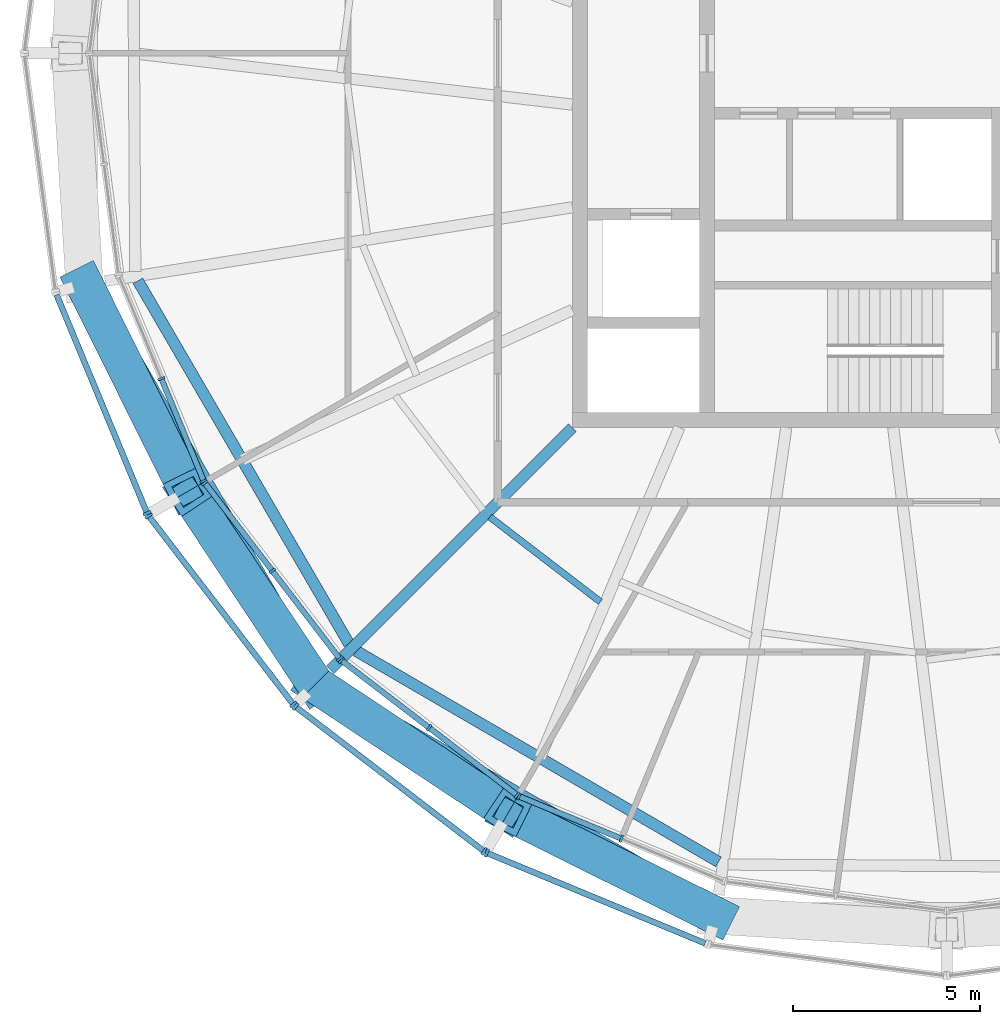
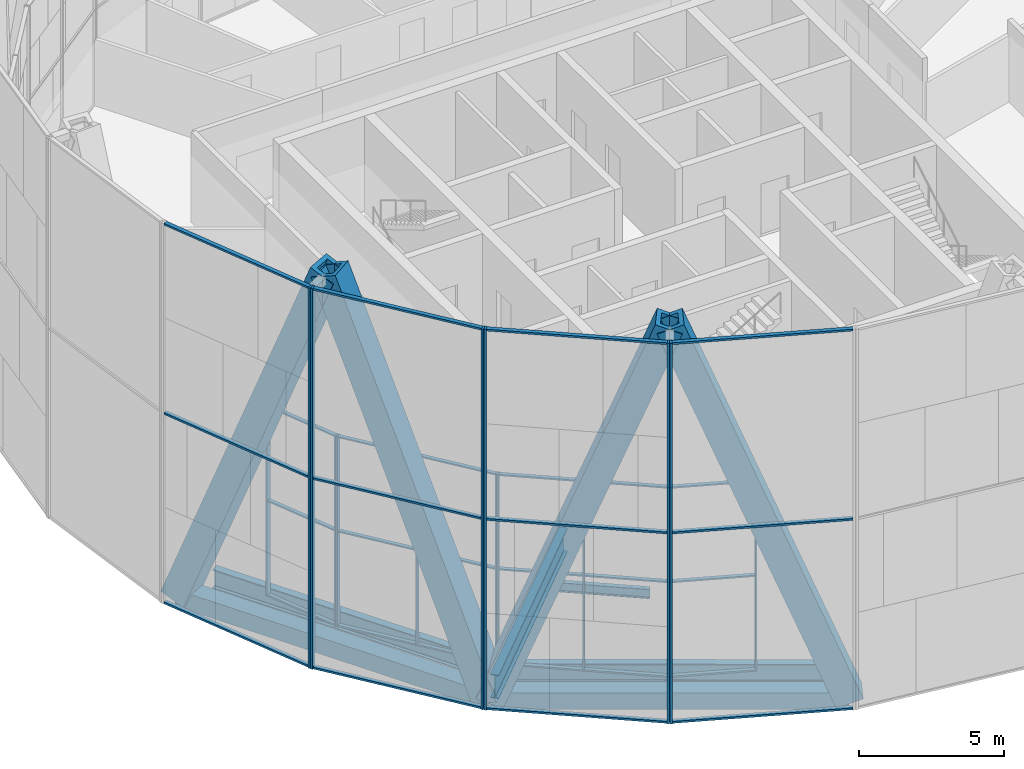
# One storey, part 1 of 23: 50 members, 6 beams, 8 elements without a shape of their own.
"""IFC4 building model written with IfcOpenShell, lengths in metres."""

from ifc_helpers import new_model, si_unit, direction, frame, origin, origin_2d, place, context, subcontext, project, spatial, rectangle, hollow_rectangle, i_section, extrude, material, material_profile, profile_set, type_object, element, aggregate, save


model = new_model("IFC4")

# Units and contexts
model_context = context("Model", 3, precision=1e-05, world=origin(), true_north=direction((0.0, 1.0)))
body_context = subcontext(model_context, "Body", "Model", "MODEL_VIEW")
ifc_project = project(units=[si_unit("LENGTHUNIT", "METRE"), si_unit("AREAUNIT", "SQUARE_METRE"), si_unit("VOLUMEUNIT", "CUBIC_METRE"), si_unit("PLANEANGLEUNIT", "RADIAN"), si_unit("MASSUNIT", "GRAM", prefix="KILO")], contexts=[model_context])

# Site, building, storey
site_placement = place(None, origin())
site = spatial("IfcSite", under=ifc_project, at=site_placement, CompositionType="ELEMENT")
building_placement = place(site_placement, origin())
building = spatial("IfcBuilding", under=site, at=building_placement, Name="Golbaran Civic Tower", CompositionType="ELEMENT")
storey_placement = place(building_placement, frame((0.0, 0.0, 232.0)))
storey = spatial("IfcBuildingStorey", under=building, at=storey_placement, Name="L56", CompositionType="ELEMENT", Elevation=232.0)

# Members
ifc_material_1 = material(Name="Steel S355", Category="steel")
ifc_material_profile_1 = material_profile(ifc_material_1, hollow_rectangle(XDim=1.0, YDim=1.0, WallThickness=0.179931640625, at=origin_2d()), Name="BOX 1000x1000x180")
ifc_profile_set_1 = profile_set([ifc_material_profile_1], Name="Steel S355")
member_type_1 = type_object("IfcMemberType", Name="DIAGRID DIAGONAL BOX 1000x1000x180", PredefinedType="BRACE", material=ifc_profile_set_1)
for number, where, z_axis, x_axis, name in (
    (1, (-23.042236328125, -6.174072265625, -0.7099609375), (0.160737955962, -0.322799502318, 0.932718494947), (0.895160079621, 0.445744805751, 0.0), "Diagonal D13-06R L56-L60"),
    (2, (-16.867919921875, -16.867919921875, -0.7099609375), (0.300597265987, -0.199193188521, 0.932718262568), (0.552384659859, 0.833589339874, 0.0), "Diagonal D13-07R L56-L60"),
    (3, (-16.867919921875, -16.867919921875, -0.7099609375), (-0.199193188521, 0.300597265987, 0.932718262568), (-0.833589339874, -0.552384659859, 0.0), "Diagonal D13-07L L56-L60"),
    (4, (-6.174072265625, -23.042236328125, -0.7099609375), (-0.322799502318, 0.160737955962, 0.932718494947), (-0.445744805751, -0.895160079621, 0.0), "Diagonal D13-08L L56-L60"),
):
    element("IfcMember", number, at=place(storey_placement, frame(where, z_axis=z_axis, x_axis=x_axis)), inside=storey, type_object=member_type_1, Name=name, PredefinedType="BRACE", context=body_context, shape_type="SweptSolid", body=[
        extrude(hollow_rectangle(XDim=1.0, YDim=1.0, WallThickness=0.179931640625, at=origin_2d()), origin(), (0.0, 0.0, 1.0), 17.154052734375),
    ])

# Beams
ifc_material_profile_2 = material_profile(ifc_material_1, hollow_rectangle(XDim=0.699951171875, YDim=0.699951171875, WallThickness=0.080078125, at=origin_2d()), Name="BOX 700x700x80")
ifc_profile_set_2 = profile_set([ifc_material_profile_2], Name="Steel S355")
beam_type_1 = type_object("IfcBeamType", Name="DIAGRID RING TIE BOX 700x700x80", PredefinedType="BEAM", material=ifc_profile_set_2)
for number, where, z_axis, x_axis, name in (
    (5, (-23.042236328125, -6.174072265625, -0.7099609375), (0.500013397526, -0.866017668581, 0.0), (0.866017668581, 0.500013397526, 0.0), "Ring tie 195.00 L56"),
    (6, (-16.867919921875, -16.867919921875, -0.7099609375), (0.866017668581, -0.500013397526, 0.0), (0.500013397526, 0.866017668581, 0.0), "Ring tie 225.00 L56"),
):
    element("IfcBeam", number, at=place(storey_placement, frame(where, z_axis=z_axis, x_axis=x_axis)), inside=storey, type_object=beam_type_1, Name=name, PredefinedType="BEAM", context=body_context, shape_type="SweptSolid", body=[
        extrude(hollow_rectangle(XDim=0.699951171875, YDim=0.699951171875, WallThickness=0.080078125, at=origin_2d()), origin(), (0.0, 0.0, 1.0), 12.348388671875),
    ])
ifc_material_profile_3 = material_profile(ifc_material_1, i_section(OverallWidth=0.300048828125, OverallDepth=0.800048828125, WebThickness=0.017578125, FlangeThickness=0.032958984375, FilletRadius=0.030029296875, at=origin_2d()), Name="HEB 800")
ifc_profile_set_3 = profile_set([ifc_material_profile_3], Name="Steel S355")
beam_type_2 = type_object("IfcBeamType", Name="EDGE BEAM HEB 800", PredefinedType="BEAM", material=ifc_profile_set_3)
beam_1_placement = place(storey_placement, frame((-21.61279296875, -6.080078125, -0.60009765625), z_axis=(0.502784867429, -0.864411578523, 0.0), x_axis=(0.864411578523, 0.502784867429, 0.0)))
element("IfcBeam", 7, at=beam_1_placement, inside=storey, type_object=beam_type_2, Name="Edge beam 195.00 L56", PredefinedType="BEAM", context=body_context, shape_type="SweptSolid", body=[
    extrude(i_section(OverallWidth=0.300048828125, OverallDepth=0.800048828125, WebThickness=0.017578125, FlangeThickness=0.032958984375, FilletRadius=0.030029296875, at=origin_2d()), origin(), (0.0, 0.0, 1.0), 11.2265625),
])
beam_2_placement = place(storey_placement, frame((-15.784423828125, -15.96826171875, -0.60009765625), z_axis=(0.86420835088, -0.503134103664, 0.0), x_axis=(0.503134103664, 0.86420835088, 0.0)))
element("IfcBeam", 8, at=beam_2_placement, inside=storey, type_object=beam_type_2, Name="Edge beam 225.00 L56", PredefinedType="BEAM", context=body_context, shape_type="SweptSolid", body=[
    extrude(i_section(OverallWidth=0.300048828125, OverallDepth=0.800048828125, WebThickness=0.017578125, FlangeThickness=0.032958984375, FilletRadius=0.030029296875, at=origin_2d()), origin(), (0.0, 0.0, 1.0), 11.20849609375),
])
ifc_material_profile_4 = material_profile(ifc_material_1, i_section(OverallWidth=0.179931640625, OverallDepth=0.39990234375, WebThickness=0.008544921875, FlangeThickness=0.013427734375, FilletRadius=0.02099609375, at=origin_2d()), Name="IPE 400")
ifc_profile_set_4 = profile_set([ifc_material_profile_4], Name="Steel S355")
beam_type_3 = type_object("IfcBeamType", Name="FLOOR INFILL BEAM IPE 400", PredefinedType="BEAM", material=ifc_profile_set_4)
beam_3_placement = place(storey_placement, frame((-12.207275390625, -12.39111328125, -0.39990234375), z_axis=(0.793354221476, -0.608760280624, 0.0), x_axis=(0.608760280624, 0.793354221476, 0.0)))
element("IfcBeam", 9, at=beam_3_placement, inside=storey, type_object=beam_type_3, Name="Infill beam 232.50 L56", PredefinedType="BEAM", context=body_context, shape_type="SweptSolid", body=[
    extrude(i_section(OverallWidth=0.179931640625, OverallDepth=0.39990234375, WebThickness=0.008544921875, FlangeThickness=0.013427734375, FilletRadius=0.02099609375, at=origin_2d()), origin(), (0.0, 0.0, 1.0), 3.725830078125),
])

# Curtain wall, members
ifc_material_2 = material(Name="Aluminium and glass", Category="aluminium")
curtain_wall_type_1 = type_object("IfcCurtainWallType", Name="INNER SKIN CURTAIN WALL EXECUTIVE", PredefinedType="NOTDEFINED", material=ifc_material_2)
curtain_wall_1_placement = place(storey_placement, origin())
curtain_wall_1 = element("IfcCurtainWall", 10, at=curtain_wall_1_placement, inside=storey, type_object=curtain_wall_type_1, Name="Inner skin L56 facet 14 CW2", ObjectType="INNER SKIN", PredefinedType="USERDEFINED")
ifc_material_3 = material(Name="Aluminium", Category="aluminium")
ifc_material_profile_5 = material_profile(ifc_material_3, rectangle(XDim=0.199951171875, YDim=0.06005859375, at=origin_2d()), Name="INNER SKIN CURTAIN WALL EXECUTIVE MULLION")
ifc_profile_set_5 = profile_set([ifc_material_profile_5], Name="Aluminium")
member_type_2 = type_object("IfcMemberType", Name="INNER SKIN CURTAIN WALL EXECUTIVE MULLION", PredefinedType="MULLION", material=ifc_profile_set_5)
member_1_placement = place(storey_placement, frame((-20.98779296875, -8.693359375, 0.0), z_axis=(0.0, 0.0, 1.0), x_axis=(0.923879532511, 0.382683432365, 0.0)))
member_1 = element("IfcMember", 11, at=member_1_placement, type_object=member_type_2, Name="CW2 mullion 2", PredefinedType="MULLION", context=body_context, shape_type="SweptSolid", body=[
    extrude(rectangle(XDim=0.199951171875, YDim=0.06005859375, at=origin_2d()), origin(), (0.0, 0.0, 1.0), 8.0),
])
member_2_placement = place(storey_placement, frame((-19.854736328125, -11.4287109375, 0.0), z_axis=(0.0, 0.0, 1.0), x_axis=(0.923879532511, 0.382683432365, 0.0)))
member_2 = element("IfcMember", 12, at=member_2_placement, type_object=member_type_2, Name="CW2 mullion 3", PredefinedType="MULLION", context=body_context, shape_type="SweptSolid", body=[
    extrude(rectangle(XDim=0.199951171875, YDim=0.06005859375, at=origin_2d()), origin(), (0.0, 0.0, 1.0), 8.0),
])

curtain_wall_2_placement = place(storey_placement, origin())
curtain_wall_2 = element("IfcCurtainWall", 13, at=curtain_wall_2_placement, inside=storey, type_object=curtain_wall_type_1, Name="Inner skin L56 facet 15 CW2", ObjectType="INNER SKIN", PredefinedType="USERDEFINED")
member_3_placement = place(storey_placement, frame((-19.824951171875, -11.480224609375, 0.0), z_axis=(0.0, 0.0, 1.0), x_axis=(0.793353340238, 0.608761429078, 0.0)))
member_3 = element("IfcMember", 14, at=member_3_placement, type_object=member_type_2, Name="CW2 mullion 1", PredefinedType="MULLION", context=body_context, shape_type="SweptSolid", body=[
    extrude(rectangle(XDim=0.199951171875, YDim=0.06005859375, at=origin_2d()), origin(), (0.0, 0.0, 1.0), 8.0),
])
member_4_placement = place(storey_placement, frame((-18.022705078125, -13.8291015625, 0.0), z_axis=(0.0, 0.0, 1.0), x_axis=(0.793353340238, 0.608761429078, 0.0)))
member_4 = element("IfcMember", 15, at=member_4_placement, type_object=member_type_2, Name="CW2 mullion 2", PredefinedType="MULLION", context=body_context, shape_type="SweptSolid", body=[
    extrude(rectangle(XDim=0.199951171875, YDim=0.06005859375, at=origin_2d()), origin(), (0.0, 0.0, 1.0), 8.0),
])
member_5_placement = place(storey_placement, frame((-16.22021484375, -16.17822265625, 0.0), z_axis=(0.0, 0.0, 1.0), x_axis=(0.793353340238, 0.608761429078, 0.0)))
member_5 = element("IfcMember", 16, at=member_5_placement, type_object=member_type_2, Name="CW2 mullion 3", PredefinedType="MULLION", context=body_context, shape_type="SweptSolid", body=[
    extrude(rectangle(XDim=0.199951171875, YDim=0.06005859375, at=origin_2d()), origin(), (0.0, 0.0, 1.0), 8.0),
])

curtain_wall_3_placement = place(storey_placement, origin())
curtain_wall_3 = element("IfcCurtainWall", 17, at=curtain_wall_3_placement, inside=storey, type_object=curtain_wall_type_1, Name="Inner skin L56 facet 16 CW2", ObjectType="INNER SKIN", PredefinedType="USERDEFINED")
member_6_placement = place(storey_placement, frame((-16.17822265625, -16.22021484375, 0.0), z_axis=(0.0, 0.0, 1.0), x_axis=(0.608761429078, 0.793353340238, 0.0)))
member_6 = element("IfcMember", 18, at=member_6_placement, type_object=member_type_2, Name="CW2 mullion 1", PredefinedType="MULLION", context=body_context, shape_type="SweptSolid", body=[
    extrude(rectangle(XDim=0.199951171875, YDim=0.06005859375, at=origin_2d()), origin(), (0.0, 0.0, 1.0), 8.0),
])
member_7_placement = place(storey_placement, frame((-13.8291015625, -18.022705078125, 0.0), z_axis=(0.0, 0.0, 1.0), x_axis=(0.608761429078, 0.793353340238, 0.0)))
member_7 = element("IfcMember", 19, at=member_7_placement, type_object=member_type_2, Name="CW2 mullion 2", PredefinedType="MULLION", context=body_context, shape_type="SweptSolid", body=[
    extrude(rectangle(XDim=0.199951171875, YDim=0.06005859375, at=origin_2d()), origin(), (0.0, 0.0, 1.0), 8.0),
])
member_8_placement = place(storey_placement, frame((-11.480224609375, -19.824951171875, 0.0), z_axis=(0.0, 0.0, 1.0), x_axis=(0.608761429078, 0.793353340238, 0.0)))
member_8 = element("IfcMember", 20, at=member_8_placement, type_object=member_type_2, Name="CW2 mullion 3", PredefinedType="MULLION", context=body_context, shape_type="SweptSolid", body=[
    extrude(rectangle(XDim=0.199951171875, YDim=0.06005859375, at=origin_2d()), origin(), (0.0, 0.0, 1.0), 8.0),
])

curtain_wall_4_placement = place(storey_placement, origin())
curtain_wall_4 = element("IfcCurtainWall", 21, at=curtain_wall_4_placement, inside=storey, type_object=curtain_wall_type_1, Name="Inner skin L56 facet 17 CW2", ObjectType="INNER SKIN", PredefinedType="USERDEFINED")
member_9_placement = place(storey_placement, frame((-11.4287109375, -19.854736328125, 0.0), z_axis=(0.0, 0.0, 1.0), x_axis=(0.382683432365, 0.923879532511, 0.0)))
member_9 = element("IfcMember", 22, at=member_9_placement, type_object=member_type_2, Name="CW2 mullion 1", PredefinedType="MULLION", context=body_context, shape_type="SweptSolid", body=[
    extrude(rectangle(XDim=0.199951171875, YDim=0.06005859375, at=origin_2d()), origin(), (0.0, 0.0, 1.0), 8.0),
])
member_10_placement = place(storey_placement, frame((-8.693359375, -20.98779296875, 0.0), z_axis=(0.0, 0.0, 1.0), x_axis=(0.382683432365, 0.923879532511, 0.0)))
member_10 = element("IfcMember", 23, at=member_10_placement, type_object=member_type_2, Name="CW2 mullion 2", PredefinedType="MULLION", context=body_context, shape_type="SweptSolid", body=[
    extrude(rectangle(XDim=0.199951171875, YDim=0.06005859375, at=origin_2d()), origin(), (0.0, 0.0, 1.0), 8.0),
])

# Member
ifc_material_profile_6 = material_profile(ifc_material_3, rectangle(XDim=0.14990234375, YDim=0.06005859375, at=origin_2d()), Name="INNER SKIN CURTAIN WALL EXECUTIVE TRANSOM")
ifc_profile_set_6 = profile_set([ifc_material_profile_6], Name="Aluminium")
member_type_3 = type_object("IfcMemberType", Name="INNER SKIN CURTAIN WALL EXECUTIVE TRANSOM", PredefinedType="USERDEFINED", material=ifc_profile_set_6)
member_11_placement = place(storey_placement, frame((-20.976318359375, -8.72119140625, 0.030029296875), z_axis=(0.382696199963, -0.923874243896, 0.0), x_axis=(0.923874243896, 0.382696199963, 0.0)))
member_11 = element("IfcMember", 24, at=member_11_placement, type_object=member_type_3, Name="CW2 transom 2.1", ObjectType="TRANSOM", PredefinedType="USERDEFINED", context=body_context, shape_type="SweptSolid", body=[
    extrude(rectangle(XDim=0.14990234375, YDim=0.06005859375, at=origin_2d()), origin(), (0.0, 0.0, 1.0), 2.900634765625),
])

member_12_placement = place(storey_placement, frame((-20.976318359375, -8.72119140625, 4.0), z_axis=(0.382696199963, -0.923874243896, 0.0), x_axis=(0.923874243896, 0.382696199963, 0.0)))
member_12 = element("IfcMember", 25, at=member_12_placement, type_object=member_type_3, Name="CW2 transom 2.2", ObjectType="TRANSOM", PredefinedType="USERDEFINED", context=body_context, shape_type="SweptSolid", body=[
    extrude(rectangle(XDim=0.14990234375, YDim=0.06005859375, at=origin_2d()), origin(), (0.0, 0.0, 1.0), 2.900634765625),
])

member_13_placement = place(storey_placement, frame((-20.976318359375, -8.72119140625, 7.969970703125), z_axis=(0.382696199963, -0.923874243896, 0.0), x_axis=(0.923874243896, 0.382696199963, 0.0)))
member_13 = element("IfcMember", 26, at=member_13_placement, type_object=member_type_3, Name="CW2 transom 2.3", ObjectType="TRANSOM", PredefinedType="USERDEFINED", context=body_context, shape_type="SweptSolid", body=[
    extrude(rectangle(XDim=0.14990234375, YDim=0.06005859375, at=origin_2d()), origin(), (0.0, 0.0, 1.0), 2.900634765625),
])

aggregate(curtain_wall_1, [member_1, member_2, member_11, member_12, member_13])

member_14_placement = place(storey_placement, frame((-19.806640625, -11.504150390625, 0.030029296875), z_axis=(0.608770742521, -0.793346193695, 0.0), x_axis=(0.793346193695, 0.608770742521, 0.0)))
member_14 = element("IfcMember", 27, at=member_14_placement, type_object=member_type_3, Name="CW2 transom 1.1", ObjectType="TRANSOM", PredefinedType="USERDEFINED", context=body_context, shape_type="SweptSolid", body=[
    extrude(rectangle(XDim=0.14990234375, YDim=0.06005859375, at=origin_2d()), origin(), (0.0, 0.0, 1.0), 2.900634765625),
])

member_15_placement = place(storey_placement, frame((-19.806640625, -11.504150390625, 4.0), z_axis=(0.608770742521, -0.793346193695, 0.0), x_axis=(0.793346193695, 0.608770742521, 0.0)))
member_15 = element("IfcMember", 28, at=member_15_placement, type_object=member_type_3, Name="CW2 transom 1.2", ObjectType="TRANSOM", PredefinedType="USERDEFINED", context=body_context, shape_type="SweptSolid", body=[
    extrude(rectangle(XDim=0.14990234375, YDim=0.06005859375, at=origin_2d()), origin(), (0.0, 0.0, 1.0), 2.900634765625),
])

member_16_placement = place(storey_placement, frame((-19.806640625, -11.504150390625, 7.969970703125), z_axis=(0.608770742521, -0.793346193695, 0.0), x_axis=(0.793346193695, 0.608770742521, 0.0)))
member_16 = element("IfcMember", 29, at=member_16_placement, type_object=member_type_3, Name="CW2 transom 1.3", ObjectType="TRANSOM", PredefinedType="USERDEFINED", context=body_context, shape_type="SweptSolid", body=[
    extrude(rectangle(XDim=0.14990234375, YDim=0.06005859375, at=origin_2d()), origin(), (0.0, 0.0, 1.0), 2.900634765625),
])

member_17_placement = place(storey_placement, frame((-18.00439453125, -13.85302734375, 0.030029296875), z_axis=(0.608770742521, -0.793346193695, 0.0), x_axis=(0.793346193695, 0.608770742521, 0.0)))
member_17 = element("IfcMember", 30, at=member_17_placement, type_object=member_type_3, Name="CW2 transom 2.1", ObjectType="TRANSOM", PredefinedType="USERDEFINED", context=body_context, shape_type="SweptSolid", body=[
    extrude(rectangle(XDim=0.14990234375, YDim=0.06005859375, at=origin_2d()), origin(), (0.0, 0.0, 1.0), 2.900634765625),
])

member_18_placement = place(storey_placement, frame((-18.00439453125, -13.85302734375, 4.0), z_axis=(0.608770742521, -0.793346193695, 0.0), x_axis=(0.793346193695, 0.608770742521, 0.0)))
member_18 = element("IfcMember", 31, at=member_18_placement, type_object=member_type_3, Name="CW2 transom 2.2", ObjectType="TRANSOM", PredefinedType="USERDEFINED", context=body_context, shape_type="SweptSolid", body=[
    extrude(rectangle(XDim=0.14990234375, YDim=0.06005859375, at=origin_2d()), origin(), (0.0, 0.0, 1.0), 2.900634765625),
])

member_19_placement = place(storey_placement, frame((-18.00439453125, -13.85302734375, 7.969970703125), z_axis=(0.608770742521, -0.793346193695, 0.0), x_axis=(0.793346193695, 0.608770742521, 0.0)))
member_19 = element("IfcMember", 32, at=member_19_placement, type_object=member_type_3, Name="CW2 transom 2.3", ObjectType="TRANSOM", PredefinedType="USERDEFINED", context=body_context, shape_type="SweptSolid", body=[
    extrude(rectangle(XDim=0.14990234375, YDim=0.06005859375, at=origin_2d()), origin(), (0.0, 0.0, 1.0), 2.900634765625),
])

aggregate(curtain_wall_2, [member_3, member_4, member_5, member_14, member_15, member_16, member_17, member_18, member_19])

member_20_placement = place(storey_placement, frame((-16.154296875, -16.238525390625, 0.030029296875), z_axis=(0.793346193695, -0.608770742521, 0.0), x_axis=(0.608770742521, 0.793346193695, 0.0)))
member_20 = element("IfcMember", 33, at=member_20_placement, type_object=member_type_3, Name="CW2 transom 1.1", ObjectType="TRANSOM", PredefinedType="USERDEFINED", context=body_context, shape_type="SweptSolid", body=[
    extrude(rectangle(XDim=0.14990234375, YDim=0.06005859375, at=origin_2d()), origin(), (0.0, 0.0, 1.0), 2.900634765625),
])

member_21_placement = place(storey_placement, frame((-16.154296875, -16.238525390625, 4.0), z_axis=(0.793346193695, -0.608770742521, 0.0), x_axis=(0.608770742521, 0.793346193695, 0.0)))
member_21 = element("IfcMember", 34, at=member_21_placement, type_object=member_type_3, Name="CW2 transom 1.2", ObjectType="TRANSOM", PredefinedType="USERDEFINED", context=body_context, shape_type="SweptSolid", body=[
    extrude(rectangle(XDim=0.14990234375, YDim=0.06005859375, at=origin_2d()), origin(), (0.0, 0.0, 1.0), 2.900634765625),
])

member_22_placement = place(storey_placement, frame((-16.154296875, -16.238525390625, 7.969970703125), z_axis=(0.793346193695, -0.608770742521, 0.0), x_axis=(0.608770742521, 0.793346193695, 0.0)))
member_22 = element("IfcMember", 35, at=member_22_placement, type_object=member_type_3, Name="CW2 transom 1.3", ObjectType="TRANSOM", PredefinedType="USERDEFINED", context=body_context, shape_type="SweptSolid", body=[
    extrude(rectangle(XDim=0.14990234375, YDim=0.06005859375, at=origin_2d()), origin(), (0.0, 0.0, 1.0), 2.900634765625),
])

member_23_placement = place(storey_placement, frame((-13.805419921875, -18.040771484375, 0.030029296875), z_axis=(0.793346193695, -0.608770742521, 0.0), x_axis=(0.608770742521, 0.793346193695, 0.0)))
member_23 = element("IfcMember", 36, at=member_23_placement, type_object=member_type_3, Name="CW2 transom 2.1", ObjectType="TRANSOM", PredefinedType="USERDEFINED", context=body_context, shape_type="SweptSolid", body=[
    extrude(rectangle(XDim=0.14990234375, YDim=0.06005859375, at=origin_2d()), origin(), (0.0, 0.0, 1.0), 2.900634765625),
])

member_24_placement = place(storey_placement, frame((-13.805419921875, -18.040771484375, 4.0), z_axis=(0.793346193695, -0.608770742521, 0.0), x_axis=(0.608770742521, 0.793346193695, 0.0)))
member_24 = element("IfcMember", 37, at=member_24_placement, type_object=member_type_3, Name="CW2 transom 2.2", ObjectType="TRANSOM", PredefinedType="USERDEFINED", context=body_context, shape_type="SweptSolid", body=[
    extrude(rectangle(XDim=0.14990234375, YDim=0.06005859375, at=origin_2d()), origin(), (0.0, 0.0, 1.0), 2.900634765625),
])

member_25_placement = place(storey_placement, frame((-13.805419921875, -18.040771484375, 7.969970703125), z_axis=(0.793346193695, -0.608770742521, 0.0), x_axis=(0.608770742521, 0.793346193695, 0.0)))
member_25 = element("IfcMember", 38, at=member_25_placement, type_object=member_type_3, Name="CW2 transom 2.3", ObjectType="TRANSOM", PredefinedType="USERDEFINED", context=body_context, shape_type="SweptSolid", body=[
    extrude(rectangle(XDim=0.14990234375, YDim=0.06005859375, at=origin_2d()), origin(), (0.0, 0.0, 1.0), 2.900634765625),
])

aggregate(curtain_wall_3, [member_6, member_7, member_8, member_20, member_21, member_22, member_23, member_24, member_25])

member_26_placement = place(storey_placement, frame((-11.401123046875, -19.8662109375, 0.030029296875), z_axis=(0.923874243896, -0.382696199963, 0.0), x_axis=(0.382696199963, 0.923874243896, 0.0)))
member_26 = element("IfcMember", 39, at=member_26_placement, type_object=member_type_3, Name="CW2 transom 1.1", ObjectType="TRANSOM", PredefinedType="USERDEFINED", context=body_context, shape_type="SweptSolid", body=[
    extrude(rectangle(XDim=0.14990234375, YDim=0.06005859375, at=origin_2d()), origin(), (0.0, 0.0, 1.0), 2.900634765625),
])

member_27_placement = place(storey_placement, frame((-11.401123046875, -19.8662109375, 4.0), z_axis=(0.923874243896, -0.382696199963, 0.0), x_axis=(0.382696199963, 0.923874243896, 0.0)))
member_27 = element("IfcMember", 40, at=member_27_placement, type_object=member_type_3, Name="CW2 transom 1.2", ObjectType="TRANSOM", PredefinedType="USERDEFINED", context=body_context, shape_type="SweptSolid", body=[
    extrude(rectangle(XDim=0.14990234375, YDim=0.06005859375, at=origin_2d()), origin(), (0.0, 0.0, 1.0), 2.900634765625),
])

member_28_placement = place(storey_placement, frame((-11.401123046875, -19.8662109375, 7.969970703125), z_axis=(0.923874243896, -0.382696199963, 0.0), x_axis=(0.382696199963, 0.923874243896, 0.0)))
member_28 = element("IfcMember", 41, at=member_28_placement, type_object=member_type_3, Name="CW2 transom 1.3", ObjectType="TRANSOM", PredefinedType="USERDEFINED", context=body_context, shape_type="SweptSolid", body=[
    extrude(rectangle(XDim=0.14990234375, YDim=0.06005859375, at=origin_2d()), origin(), (0.0, 0.0, 1.0), 2.900634765625),
])

aggregate(curtain_wall_4, [member_9, member_10, member_26, member_27, member_28])

# Curtain wall, member
curtain_wall_type_2 = type_object("IfcCurtainWallType", Name="OUTER SKIN TERRACOTTA SCREEN", PredefinedType="NOTDEFINED", material=ifc_material_2)
curtain_wall_5_placement = place(storey_placement, origin())
curtain_wall_5 = element("IfcCurtainWall", 42, at=curtain_wall_5_placement, inside=storey, type_object=curtain_wall_type_2, Name="Outer skin L56 facet 14 CW3", ObjectType="OUTER SKIN", PredefinedType="USERDEFINED")
ifc_material_profile_7 = material_profile(ifc_material_3, rectangle(XDim=0.219970703125, YDim=0.080078125, at=origin_2d()), Name="OUTER SKIN TERRACOTTA SCREEN MULLION")
ifc_profile_set_7 = profile_set([ifc_material_profile_7], Name="Aluminium")
member_type_4 = type_object("IfcMemberType", Name="OUTER SKIN TERRACOTTA SCREEN MULLION", PredefinedType="MULLION", material=ifc_profile_set_7)
member_29_placement = place(storey_placement, frame((-21.3671875, -12.29052734375, -0.7099609375), z_axis=(0.0, 0.0, 1.0), x_axis=(0.923879532505, 0.382683432381, 0.0)))
member_29 = element("IfcMember", 43, at=member_29_placement, type_object=member_type_4, Name="CW3 mullion 2", PredefinedType="MULLION", context=body_context, shape_type="SweptSolid", body=[
    extrude(rectangle(XDim=0.219970703125, YDim=0.080078125, at=origin_2d()), origin(), (0.0, 0.0, 1.0), 16.0),
])

# Curtain wall, members
curtain_wall_6_placement = place(storey_placement, origin())
curtain_wall_6 = element("IfcCurtainWall", 44, at=curtain_wall_6_placement, inside=storey, type_object=curtain_wall_type_2, Name="Outer skin L56 facet 15 CW3", ObjectType="OUTER SKIN", PredefinedType="USERDEFINED")
member_30_placement = place(storey_placement, frame((-21.327392578125, -12.359130859375, -0.7099609375), z_axis=(0.0, 0.0, 1.0), x_axis=(0.793353340291, 0.608761429009, 0.0)))
member_30 = element("IfcMember", 45, at=member_30_placement, type_object=member_type_4, Name="CW3 mullion 1", PredefinedType="MULLION", context=body_context, shape_type="SweptSolid", body=[
    extrude(rectangle(XDim=0.219970703125, YDim=0.080078125, at=origin_2d()), origin(), (0.0, 0.0, 1.0), 16.0),
])
member_31_placement = place(storey_placement, frame((-17.4580078125, -17.402099609375, -0.7099609375), z_axis=(0.0, 0.0, 1.0), x_axis=(0.793353340291, 0.608761429009, 0.0)))
member_31 = element("IfcMember", 46, at=member_31_placement, type_object=member_type_4, Name="CW3 mullion 2", PredefinedType="MULLION", context=body_context, shape_type="SweptSolid", body=[
    extrude(rectangle(XDim=0.219970703125, YDim=0.080078125, at=origin_2d()), origin(), (0.0, 0.0, 1.0), 16.0),
])

curtain_wall_7_placement = place(storey_placement, origin())
curtain_wall_7 = element("IfcCurtainWall", 47, at=curtain_wall_7_placement, inside=storey, type_object=curtain_wall_type_2, Name="Outer skin L56 facet 16 CW3", ObjectType="OUTER SKIN", PredefinedType="USERDEFINED")
member_32_placement = place(storey_placement, frame((-17.402099609375, -17.4580078125, -0.7099609375), z_axis=(0.0, 0.0, 1.0), x_axis=(0.608761429009, 0.793353340291, 0.0)))
member_32 = element("IfcMember", 48, at=member_32_placement, type_object=member_type_4, Name="CW3 mullion 1", PredefinedType="MULLION", context=body_context, shape_type="SweptSolid", body=[
    extrude(rectangle(XDim=0.219970703125, YDim=0.080078125, at=origin_2d()), origin(), (0.0, 0.0, 1.0), 16.0),
])
member_33_placement = place(storey_placement, frame((-12.359130859375, -21.327392578125, -0.7099609375), z_axis=(0.0, 0.0, 1.0), x_axis=(0.608761429009, 0.793353340291, 0.0)))
member_33 = element("IfcMember", 49, at=member_33_placement, type_object=member_type_4, Name="CW3 mullion 2", PredefinedType="MULLION", context=body_context, shape_type="SweptSolid", body=[
    extrude(rectangle(XDim=0.219970703125, YDim=0.080078125, at=origin_2d()), origin(), (0.0, 0.0, 1.0), 16.0),
])

# Curtain wall, member
curtain_wall_8_placement = place(storey_placement, origin())
curtain_wall_8 = element("IfcCurtainWall", 50, at=curtain_wall_8_placement, inside=storey, type_object=curtain_wall_type_2, Name="Outer skin L56 facet 17 CW3", ObjectType="OUTER SKIN", PredefinedType="USERDEFINED")
member_34_placement = place(storey_placement, frame((-12.29052734375, -21.3671875, -0.7099609375), z_axis=(0.0, 0.0, 1.0), x_axis=(0.382683432381, 0.923879532505, 0.0)))
member_34 = element("IfcMember", 51, at=member_34_placement, type_object=member_type_4, Name="CW3 mullion 1", PredefinedType="MULLION", context=body_context, shape_type="SweptSolid", body=[
    extrude(rectangle(XDim=0.219970703125, YDim=0.080078125, at=origin_2d()), origin(), (0.0, 0.0, 1.0), 16.0),
])

# Member
ifc_material_profile_8 = material_profile(ifc_material_3, rectangle(XDim=0.159912109375, YDim=0.080078125, at=origin_2d()), Name="OUTER SKIN TERRACOTTA SCREEN TRANSOM")
ifc_profile_set_8 = profile_set([ifc_material_profile_8], Name="Aluminium")
member_type_5 = type_object("IfcMemberType", Name="OUTER SKIN TERRACOTTA SCREEN TRANSOM", PredefinedType="USERDEFINED", material=ifc_profile_set_8)
member_35_placement = place(storey_placement, frame((-23.7841796875, -6.455078125, -0.669921875), z_axis=(0.382650683858, -0.923893096707, 0.0), x_axis=(0.923893096707, 0.382650683858, 0.0)))
member_35 = element("IfcMember", 52, at=member_35_placement, type_object=member_type_5, Name="CW3 transom 1.1", ObjectType="TRANSOM", PredefinedType="USERDEFINED", context=body_context, shape_type="SweptSolid", body=[
    extrude(rectangle(XDim=0.159912109375, YDim=0.080078125, at=origin_2d()), origin(), (0.0, 0.0, 1.0), 6.2763671875),
])

member_36_placement = place(storey_placement, frame((-23.7841796875, -6.455078125, 7.2900390625), z_axis=(0.382650683858, -0.923893096707, 0.0), x_axis=(0.923893096707, 0.382650683858, 0.0)))
member_36 = element("IfcMember", 53, at=member_36_placement, type_object=member_type_5, Name="CW3 transom 1.2", ObjectType="TRANSOM", PredefinedType="USERDEFINED", context=body_context, shape_type="SweptSolid", body=[
    extrude(rectangle(XDim=0.159912109375, YDim=0.080078125, at=origin_2d()), origin(), (0.0, 0.0, 1.0), 6.2763671875),
])

member_37_placement = place(storey_placement, frame((-23.7841796875, -6.455078125, 15.25), z_axis=(0.382650683858, -0.923893096707, 0.0), x_axis=(0.923893096707, 0.382650683858, 0.0)))
member_37 = element("IfcMember", 54, at=member_37_placement, type_object=member_type_5, Name="CW3 transom 1.3", ObjectType="TRANSOM", PredefinedType="USERDEFINED", context=body_context, shape_type="SweptSolid", body=[
    extrude(rectangle(XDim=0.159912109375, YDim=0.080078125, at=origin_2d()), origin(), (0.0, 0.0, 1.0), 6.2763671875),
])

aggregate(curtain_wall_5, [member_29, member_35, member_36, member_37])

member_38_placement = place(storey_placement, frame((-21.30322265625, -12.390869140625, -0.669921875), z_axis=(0.608751605362, -0.793360878144, 0.0), x_axis=(0.793360878144, 0.608751605362, 0.0)))
member_38 = element("IfcMember", 55, at=member_38_placement, type_object=member_type_5, Name="CW3 transom 1.1", ObjectType="TRANSOM", PredefinedType="USERDEFINED", context=body_context, shape_type="SweptSolid", body=[
    extrude(rectangle(XDim=0.159912109375, YDim=0.080078125, at=origin_2d()), origin(), (0.0, 0.0, 1.0), 6.2763671875),
])

member_39_placement = place(storey_placement, frame((-21.30322265625, -12.390869140625, 7.2900390625), z_axis=(0.608751605362, -0.793360878144, 0.0), x_axis=(0.793360878144, 0.608751605362, 0.0)))
member_39 = element("IfcMember", 56, at=member_39_placement, type_object=member_type_5, Name="CW3 transom 1.2", ObjectType="TRANSOM", PredefinedType="USERDEFINED", context=body_context, shape_type="SweptSolid", body=[
    extrude(rectangle(XDim=0.159912109375, YDim=0.080078125, at=origin_2d()), origin(), (0.0, 0.0, 1.0), 6.2763671875),
])

member_40_placement = place(storey_placement, frame((-21.30322265625, -12.390869140625, 15.25), z_axis=(0.608751605362, -0.793360878144, 0.0), x_axis=(0.793360878144, 0.608751605362, 0.0)))
member_40 = element("IfcMember", 57, at=member_40_placement, type_object=member_type_5, Name="CW3 transom 1.3", ObjectType="TRANSOM", PredefinedType="USERDEFINED", context=body_context, shape_type="SweptSolid", body=[
    extrude(rectangle(XDim=0.159912109375, YDim=0.080078125, at=origin_2d()), origin(), (0.0, 0.0, 1.0), 6.2763671875),
])

aggregate(curtain_wall_6, [member_30, member_31, member_38, member_39, member_40])

member_41_placement = place(storey_placement, frame((-17.370361328125, -17.482421875, -0.669921875), z_axis=(0.793360878144, -0.608751605362, 0.0), x_axis=(0.608751605362, 0.793360878144, 0.0)))
member_41 = element("IfcMember", 58, at=member_41_placement, type_object=member_type_5, Name="CW3 transom 1.1", ObjectType="TRANSOM", PredefinedType="USERDEFINED", context=body_context, shape_type="SweptSolid", body=[
    extrude(rectangle(XDim=0.159912109375, YDim=0.080078125, at=origin_2d()), origin(), (0.0, 0.0, 1.0), 6.2763671875),
])

member_42_placement = place(storey_placement, frame((-17.370361328125, -17.482421875, 7.2900390625), z_axis=(0.793360878144, -0.608751605362, 0.0), x_axis=(0.608751605362, 0.793360878144, 0.0)))
member_42 = element("IfcMember", 59, at=member_42_placement, type_object=member_type_5, Name="CW3 transom 1.2", ObjectType="TRANSOM", PredefinedType="USERDEFINED", context=body_context, shape_type="SweptSolid", body=[
    extrude(rectangle(XDim=0.159912109375, YDim=0.080078125, at=origin_2d()), origin(), (0.0, 0.0, 1.0), 6.2763671875),
])

member_43_placement = place(storey_placement, frame((-17.370361328125, -17.482421875, 15.25), z_axis=(0.793360878144, -0.608751605362, 0.0), x_axis=(0.608751605362, 0.793360878144, 0.0)))
member_43 = element("IfcMember", 60, at=member_43_placement, type_object=member_type_5, Name="CW3 transom 1.3", ObjectType="TRANSOM", PredefinedType="USERDEFINED", context=body_context, shape_type="SweptSolid", body=[
    extrude(rectangle(XDim=0.159912109375, YDim=0.080078125, at=origin_2d()), origin(), (0.0, 0.0, 1.0), 6.2763671875),
])

aggregate(curtain_wall_7, [member_32, member_33, member_41, member_42, member_43])

member_44_placement = place(storey_placement, frame((-12.253662109375, -21.382568359375, -0.669921875), z_axis=(0.923893096707, -0.382650683858, 0.0), x_axis=(0.382650683858, 0.923893096707, 0.0)))
member_44 = element("IfcMember", 61, at=member_44_placement, type_object=member_type_5, Name="CW3 transom 1.1", ObjectType="TRANSOM", PredefinedType="USERDEFINED", context=body_context, shape_type="SweptSolid", body=[
    extrude(rectangle(XDim=0.159912109375, YDim=0.080078125, at=origin_2d()), origin(), (0.0, 0.0, 1.0), 6.2763671875),
])

member_45_placement = place(storey_placement, frame((-12.253662109375, -21.382568359375, 7.2900390625), z_axis=(0.923893096707, -0.382650683858, 0.0), x_axis=(0.382650683858, 0.923893096707, 0.0)))
member_45 = element("IfcMember", 62, at=member_45_placement, type_object=member_type_5, Name="CW3 transom 1.2", ObjectType="TRANSOM", PredefinedType="USERDEFINED", context=body_context, shape_type="SweptSolid", body=[
    extrude(rectangle(XDim=0.159912109375, YDim=0.080078125, at=origin_2d()), origin(), (0.0, 0.0, 1.0), 6.2763671875),
])

member_46_placement = place(storey_placement, frame((-12.253662109375, -21.382568359375, 15.25), z_axis=(0.923893096707, -0.382650683858, 0.0), x_axis=(0.382650683858, 0.923893096707, 0.0)))
member_46 = element("IfcMember", 63, at=member_46_placement, type_object=member_type_5, Name="CW3 transom 1.3", ObjectType="TRANSOM", PredefinedType="USERDEFINED", context=body_context, shape_type="SweptSolid", body=[
    extrude(rectangle(XDim=0.159912109375, YDim=0.080078125, at=origin_2d()), origin(), (0.0, 0.0, 1.0), 6.2763671875),
])

aggregate(curtain_wall_8, [member_34, member_44, member_45, member_46])

# Beam
ifc_material_profile_9 = material_profile(ifc_material_1, i_section(OverallWidth=0.300048828125, OverallDepth=1.0, WebThickness=0.01904296875, FlangeThickness=0.035888671875, FilletRadius=0.030029296875, at=origin_2d()), Name="HEB 1000")
ifc_profile_set_9 = profile_set([ifc_material_profile_9], Name="Steel S355")
beam_type_4 = type_object("IfcBeamType", Name="RADIAL FLOOR BEAM HEB 1000", PredefinedType="BEAM", material=ifc_profile_set_9)
beam_4_placement = place(storey_placement, frame((-10.0, -10.0, -0.7099609375), z_axis=(-0.707106781187, -0.707106781187, 0.0), x_axis=(0.707106781187, -0.707106781187, 0.0)))
element("IfcBeam", 64, at=beam_4_placement, inside=storey, type_object=beam_type_4, Name="Radial beam 225.00 L56", PredefinedType="BEAM", context=body_context, shape_type="SweptSolid", body=[
    extrude(i_section(OverallWidth=0.300048828125, OverallDepth=1.0, WebThickness=0.01904296875, FlangeThickness=0.035888671875, FilletRadius=0.030029296875, at=origin_2d()), origin(), (0.0, 0.0, 1.0), 9.16162109375),
])

save(model, "model.ifc")
